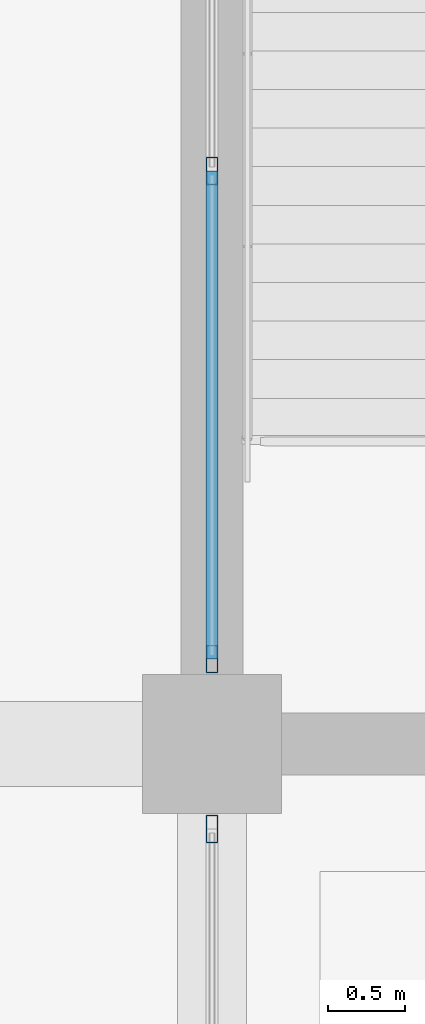
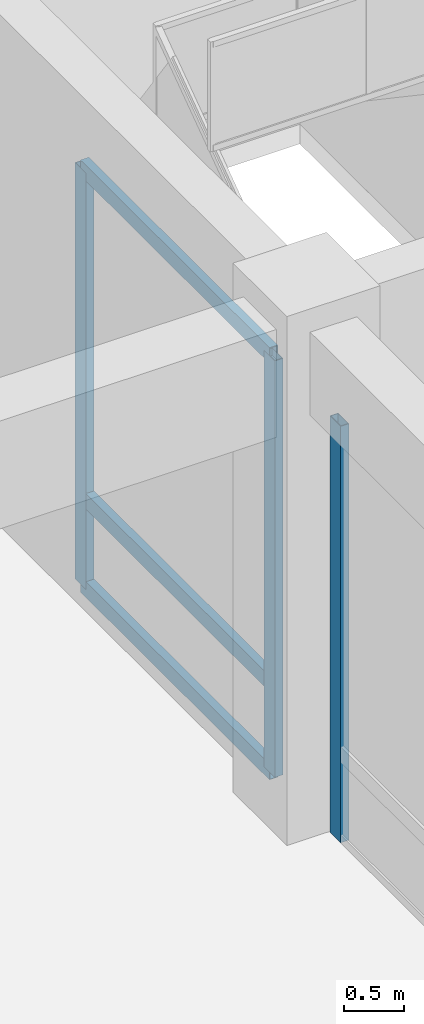
# One storey, part 28 of 90: 6 members, 2 elements without a shape of their own.
"""IFC4 building model written with IfcOpenShell, lengths in metres."""

import ifcopenshell
import ifcopenshell.guid

model = None  # the IFC model being written
_history = None  # IfcOwnerHistory: only IFC2X3 demands one
_inside = {}  # id of a spatial element -> (the spatial element, [elements in it])
_under = {}  # id of a project, library or spatial element -> (it, [spatial elements below it])
_declared = {}  # id of a project -> (the project, [libraries it declares])
_typed = {}  # id of a type object -> (the type object, [elements of that type])
_made_of = {}  # id of a material, layer set ... -> (it, [elements and type objects made of it])


def new_model(schema):
    """Start an empty IFC model of exactly this schema.

    Asked for "IFC4X3", IfcOpenShell would pick the latest addendum, in which some entities
    have other attributes; the version numbers below select the first issue.
    IFC2X3 requires an IfcOwnerHistory on every rooted entity: one is made here for all.
    """
    global model, _history
    if schema == "IFC4X3":
        model = ifcopenshell.file(schema_version=(4, 3, 0, 0))
    else:
        model = ifcopenshell.file(schema=schema)
    _inside.clear()
    _under.clear()
    _declared.clear()
    _typed.clear()
    _made_of.clear()
    _history = None
    if model.schema == "IFC2X3":
        org = make("IfcOrganization", Name="unknown")
        user = make(
            "IfcPersonAndOrganization",
            ThePerson=make("IfcPerson", FamilyName="unknown"),
            TheOrganization=org,
        )
        app = make(
            "IfcApplication",
            ApplicationDeveloper=org,
            Version="unknown",
            ApplicationFullName="unknown",
            ApplicationIdentifier="unknown",
        )
        _history = make(
            "IfcOwnerHistory",
            OwningUser=user,
            OwningApplication=app,
            ChangeAction="ADDED",
            CreationDate=0,
        )
    return model


def make(cls, **values):
    """One entity of the class cls with the attributes given. An attribute that is None is left unset."""
    return model.create_entity(
        cls, **{name: value for name, value in values.items() if value is not None}
    )


def rooted(cls, **values):
    """An entity with a GlobalId (a new one), such as an element, a storey or a relation."""
    return make(cls, GlobalId=ifcopenshell.guid.new(), OwnerHistory=_history, **values)


def si_unit(unit_type, name, prefix=None):
    """IfcSIUnit, for example si_unit("LENGTHUNIT", "METRE", prefix="MILLI")."""
    return make("IfcSIUnit", UnitType=unit_type, Prefix=prefix, Name=name)


def assignment(units):
    """IfcUnitAssignment: the units of a project."""
    return None if units is None else make("IfcUnitAssignment", Units=units)


def point(xyz):
    """IfcCartesianPoint."""
    return None if xyz is None else make("IfcCartesianPoint", Coordinates=xyz)


def direction(xyz):
    """IfcDirection."""
    return None if xyz is None else make("IfcDirection", DirectionRatios=xyz)


def frame(location, z_axis=None, x_axis=None):
    """IfcAxis2Placement3D, a coordinate frame: its origin and axes. An axis left out is left unset."""
    return make(
        "IfcAxis2Placement3D",
        Location=point(location),
        Axis=direction(z_axis),
        RefDirection=direction(x_axis),
    )


def frame_2d(location, x_axis=None):
    """IfcAxis2Placement2D, a coordinate frame in the plane: its origin and x axis."""
    return make(
        "IfcAxis2Placement2D", Location=point(location), RefDirection=direction(x_axis)
    )


def origin():
    """The frame at (0, 0, 0) with its axes left unset."""
    return frame((0.0, 0.0, 0.0))


def origin_2d():
    """The frame at (0, 0) in the plane with its x axis left unset."""
    return frame_2d((0.0, 0.0))


def place(relative_to, where):
    """IfcLocalPlacement: puts the frame where relative to a parent placement (None: the world)."""
    return make(
        "IfcLocalPlacement", PlacementRelTo=relative_to, RelativePlacement=where
    )


def context(
    kind, dimensions, precision=None, world=None, true_north=None, identifier=None
):
    """IfcGeometricRepresentationContext, for example the 3D "Model" context."""
    return make(
        "IfcGeometricRepresentationContext",
        ContextIdentifier=identifier,
        ContextType=kind,
        CoordinateSpaceDimension=dimensions,
        Precision=precision,
        WorldCoordinateSystem=world,
        TrueNorth=true_north,
    )


def subcontext(parent, identifier, kind, view, scale=None):
    """IfcGeometricRepresentationSubContext, for example "Body" below "Model"."""
    return make(
        "IfcGeometricRepresentationSubContext",
        ContextIdentifier=identifier,
        ContextType=kind,
        ParentContext=parent,
        TargetScale=scale,
        TargetView=view,
    )


def project(units=None, contexts=None):
    """IfcProject with its units and contexts."""
    return rooted(
        "IfcProject",
        Name="project",
        RepresentationContexts=contexts,
        UnitsInContext=assignment(units),
    )


def spatial(cls, under=None, at=None, **own):
    """A site, building, storey or space (cls), placed at a placement, below another one or the project."""
    s = rooted(cls, ObjectPlacement=at, **own)
    if under is not None:
        _under.setdefault(under.id(), (under, []))[1].append(s)
    return s


def profile(cls, at=None, kind="AREA", **sizes):
    """A parametric profile (cls). Its sizes go by their IFC names, for example OverallWidth=200.0."""
    return make(cls, ProfileType=kind, Position=at, **sizes)


def hollow_rectangle(**sizes):
    """IfcRectangleHollowProfileDef."""
    return profile("IfcRectangleHollowProfileDef", **sizes)


def extrude(swept, where, along, depth):
    """IfcExtrudedAreaSolid: the profile swept, set in the frame where, extruded along a direction by depth."""
    return make(
        "IfcExtrudedAreaSolid",
        SweptArea=swept,
        Position=where,
        ExtrudedDirection=direction(along),
        Depth=depth,
    )


def shape(context_of_items, identifier, shape_type, items):
    """IfcShapeRepresentation: the items that make up one representation, for example the "Body"."""
    return make(
        "IfcShapeRepresentation",
        ContextOfItems=context_of_items,
        RepresentationIdentifier=identifier,
        RepresentationType=shape_type,
        Items=items,
    )


def material(Name=None, Category=None):
    """IfcMaterial."""
    return make("IfcMaterial", Name=Name, Category=Category)


def material_profile(
    of_material, cross_section, Name=None, Category=None, Priority=None
):
    """IfcMaterialProfile: a cross section and its material."""
    return make(
        "IfcMaterialProfile",
        Name=Name,
        Material=of_material,
        Profile=cross_section,
        Priority=Priority,
        Category=Category,
    )


def profile_set(profiles, Name=None, composite=None):
    """IfcMaterialProfileSet."""
    return make(
        "IfcMaterialProfileSet",
        Name=Name,
        MaterialProfiles=profiles,
        CompositeProfile=composite,
    )


def made_of(thing, what):
    """Note that an element or type object is made of a material, layer set ...; save() writes the relation."""
    if what is not None:
        _made_of.setdefault(what.id(), (what, []))[1].append(thing)
    return thing


def type_object(cls, material=None, **own):
    """A type object (cls), such as IfcWallType, which elements share."""
    return made_of(rooted(cls, **own), material)


def element(
    cls,
    number,
    at=None,
    inside=None,
    cuts=None,
    type_object=None,
    material=None,
    context=None,
    identifier="Body",
    shape_type=None,
    held_by="IfcProductDefinitionShape",
    body=None,
    shapes=None,
    **own,
):
    """One element of the class cls, such as IfcWall. Its Tag is "e" and its number.

    at: its placement. inside: the storey or other place that contains it. cuts: it is an
    opening in that element (IfcRelVoidsElement). A single representation is given by context,
    identifier, shape_type and body (its items); several are given by shapes. held_by: the class
    of the entity that holds the representations. save() writes the other relations.
    """
    e = rooted(cls, Tag="e%d" % number, ObjectPlacement=at, **own)
    if body is not None:
        shapes = [shape(context, identifier, shape_type, body)]
    if shapes is not None:
        e.Representation = make(held_by, Representations=shapes)
    if inside is not None:
        _inside.setdefault(inside.id(), (inside, []))[1].append(e)
    if cuts is not None:
        rooted(
            "IfcRelVoidsElement", RelatingBuildingElement=cuts, RelatedOpeningElement=e
        )
    if type_object is not None:
        _typed.setdefault(type_object.id(), (type_object, []))[1].append(e)
    return made_of(e, material)


def aggregate(whole, parts):
    """IfcRelAggregates: a whole, such as a stair, and the parts it consists of."""
    return rooted("IfcRelAggregates", RelatingObject=whole, RelatedObjects=parts)


def save(model, path):
    """Write the relations noted so far, then the file.

    IfcRelAggregates (storeys below a building ...), IfcRelContainedInSpatialStructure (elements
    in a storey), IfcRelDefinesByType, IfcRelAssociatesMaterial and IfcRelDeclares: one each for
    every whole, place, type object, material and project.
    """
    for whole, parts in _under.values():
        aggregate(whole, parts)
    for where, things in _inside.values():
        rooted(
            "IfcRelContainedInSpatialStructure",
            RelatedElements=things,
            RelatingStructure=where,
        )
    for kind, things in _typed.values():
        rooted("IfcRelDefinesByType", RelatedObjects=things, RelatingType=kind)
    for what, things in _made_of.values():
        rooted("IfcRelAssociatesMaterial", RelatedObjects=things, RelatingMaterial=what)
    for by, libraries in _declared.values():
        rooted("IfcRelDeclares", RelatingContext=by, RelatedDefinitions=libraries)
    model.write(path)


model = new_model("IFC4")

# Units and contexts
model_context = context("Model", 3, precision=1e-05, world=origin(), true_north=direction((0.0, 1.0)))
body_context = subcontext(model_context, "Body", "Model", "MODEL_VIEW")
ifc_project = project(units=[si_unit("LENGTHUNIT", "METRE"), si_unit("AREAUNIT", "SQUARE_METRE"), si_unit("VOLUMEUNIT", "CUBIC_METRE"), si_unit("PLANEANGLEUNIT", "RADIAN"), si_unit("MASSUNIT", "GRAM", prefix="KILO")], contexts=[model_context])

# Site, building, storey
site_placement = place(None, origin())
site = spatial("IfcSite", under=ifc_project, at=site_placement, CompositionType="ELEMENT")
building_placement = place(site_placement, origin())
building = spatial("IfcBuilding", under=site, at=building_placement, Name="Linyun Crest Stadium", CompositionType="ELEMENT")
storey_placement = place(building_placement, frame((0.0, 0.0, 21.0)))
storey = spatial("IfcBuildingStorey", under=building, at=storey_placement, Name="L05", CompositionType="ELEMENT", Elevation=21.0)

# Curtain wall, member
ifc_material_1 = material(Name="Verdigris steel and low-E curtain wall assembly", Category="steel")
curtain_wall_type = type_object("IfcCurtainWallType", Name="MCW01", PredefinedType="NOTDEFINED", material=ifc_material_1)
curtain_wall_1_placement = place(storey_placement, origin())
curtain_wall_1 = element("IfcCurtainWall", 1, at=curtain_wall_1_placement, inside=storey, type_object=curtain_wall_type, Name="CWR-094", PredefinedType="NOTDEFINED")
ifc_material_2 = material(Name="Verdigris painted steel Q355B mullion", Category="steel")
ifc_material_profile_1 = material_profile(ifc_material_2, hollow_rectangle(XDim=0.080078125, YDim=0.179931640625, WallThickness=0.006103515625, at=origin_2d()), Name="RHS 180x80x6")
ifc_profile_set_1 = profile_set([ifc_material_profile_1], Name="Verdigris painted steel Q355B mullion")
member_type_1 = type_object("IfcMemberType", Name="ML02", PredefinedType="MULLION", material=ifc_profile_set_1)
member_1_placement = place(storey_placement, frame((-84.0, 1.574951171875, 0.0), z_axis=(0.0, 0.0, 1.0), x_axis=(-1.0, 0.0, 0.0)))
member_1 = element("IfcMember", 2, at=member_1_placement, type_object=member_type_1, Name="CWR-094 mullion 5", PredefinedType="MULLION", context=body_context, shape_type="SweptSolid", body=[
    extrude(hollow_rectangle(XDim=0.080078125, YDim=0.179931640625, WallThickness=0.006103515625, at=origin_2d()), origin(), (0.0, 0.0, 1.0), 4.25),
])
aggregate(curtain_wall_1, [member_1])

# Curtain wall, members
curtain_wall_2_placement = place(storey_placement, origin())
curtain_wall_2 = element("IfcCurtainWall", 3, at=curtain_wall_2_placement, inside=storey, type_object=curtain_wall_type, Name="CWR-103", PredefinedType="NOTDEFINED")
member_2_placement = place(storey_placement, frame((-84.0, 2.675048828125, 0.0), z_axis=(0.0, 0.0, 1.0), x_axis=(-1.0, 0.0, 0.0)))
member_2 = element("IfcMember", 4, at=member_2_placement, type_object=member_type_1, Name="CWR-103 mullion 1", PredefinedType="MULLION", context=body_context, shape_type="SweptSolid", body=[
    extrude(hollow_rectangle(XDim=0.080078125, YDim=0.179931640625, WallThickness=0.006103515625, at=origin_2d()), origin(), (0.0, 0.0, 1.0), 4.25),
])
member_3_placement = place(storey_placement, frame((-84.0, 5.8369140625, 0.0), z_axis=(0.0, 0.0, 1.0), x_axis=(-1.0, 0.0, 0.0)))
member_3 = element("IfcMember", 5, at=member_3_placement, type_object=member_type_1, Name="CWR-103 mullion 2", PredefinedType="MULLION", context=body_context, shape_type="SweptSolid", body=[
    extrude(hollow_rectangle(XDim=0.080078125, YDim=0.179931640625, WallThickness=0.006103515625, at=origin_2d()), origin(), (0.0, 0.0, 1.0), 4.25),
])
ifc_material_3 = material(Name="Aluminium thermally broken transom", Category="aluminium")
ifc_material_profile_2 = material_profile(ifc_material_3, hollow_rectangle(XDim=0.080078125, YDim=0.159912109375, WallThickness=0.006103515625, at=origin_2d()), Name="RHS 160x80x6")
ifc_profile_set_2 = profile_set([ifc_material_profile_2], Name="Aluminium thermally broken transom")
member_type_2 = type_object("IfcMemberType", Name="TR01", PredefinedType="USERDEFINED", material=ifc_profile_set_2)
member_4_placement = place(storey_placement, frame((-84.0, 2.675048828125, 0.0), z_axis=(0.0, 1.0, 0.0), x_axis=(-1.0, 0.0, 0.0)))
member_4 = element("IfcMember", 6, at=member_4_placement, type_object=member_type_2, Name="CWR-103 transom 1.1", ObjectType="TRANSOM", PredefinedType="USERDEFINED", context=body_context, shape_type="SweptSolid", body=[
    extrude(hollow_rectangle(XDim=0.080078125, YDim=0.159912109375, WallThickness=0.006103515625, at=origin_2d()), origin(), (0.0, 0.0, 1.0), 3.161865234375),
])
member_5_placement = place(storey_placement, frame((-84.0, 2.675048828125, 0.89990234375), z_axis=(0.0, 1.0, 0.0), x_axis=(-1.0, 0.0, 0.0)))
member_5 = element("IfcMember", 7, at=member_5_placement, type_object=member_type_2, Name="CWR-103 transom 1.2", ObjectType="TRANSOM", PredefinedType="USERDEFINED", context=body_context, shape_type="SweptSolid", body=[
    extrude(hollow_rectangle(XDim=0.080078125, YDim=0.159912109375, WallThickness=0.006103515625, at=origin_2d()), origin(), (0.0, 0.0, 1.0), 3.161865234375),
])
member_6_placement = place(storey_placement, frame((-84.0, 2.675048828125, 4.25), z_axis=(0.0, 1.0, 0.0), x_axis=(-1.0, 0.0, 0.0)))
member_6 = element("IfcMember", 8, at=member_6_placement, type_object=member_type_2, Name="CWR-103 transom 1.3", ObjectType="TRANSOM", PredefinedType="USERDEFINED", context=body_context, shape_type="SweptSolid", body=[
    extrude(hollow_rectangle(XDim=0.080078125, YDim=0.159912109375, WallThickness=0.006103515625, at=origin_2d()), origin(), (0.0, 0.0, 1.0), 3.161865234375),
])
aggregate(curtain_wall_2, [member_2, member_3, member_4, member_5, member_6])

save(model, "model.ifc")
